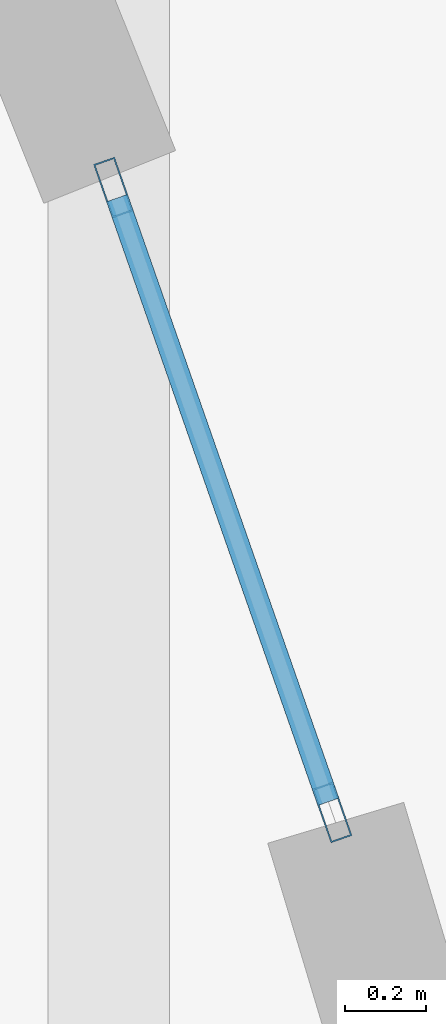
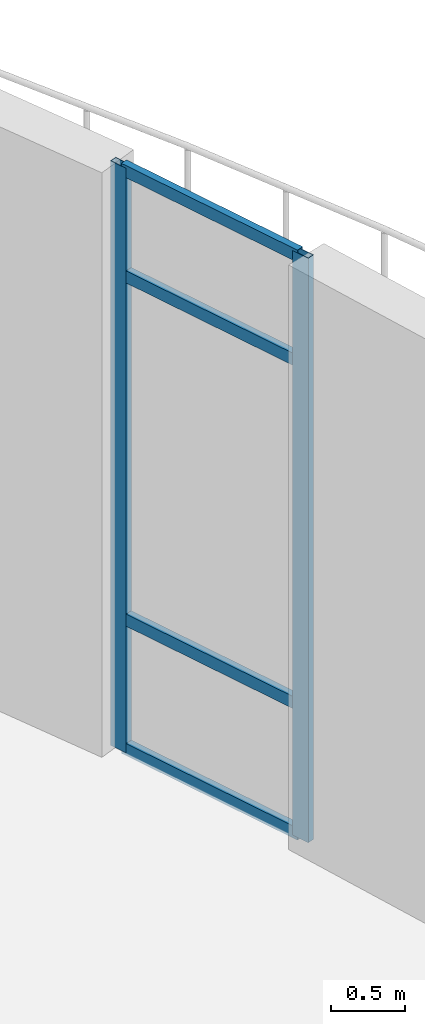
# One storey, part 25 of 57: 6 members, 1 element without a shape of its own.
"""IFC4 building model written with IfcOpenShell, lengths in metres."""

from ifc_helpers import new_model, si_unit, direction, frame, origin, origin_2d, place, context, subcontext, project, spatial, hollow_rectangle, extrude, material, layer, layer_set, material_profile, profile_set, type_object, element, aggregate, save


model = new_model("IFC4")

# Units and contexts
model_context = context("Model", 3, precision=1e-05, world=origin(), true_north=direction((0.0, 1.0)))
body_context = subcontext(model_context, "Body", "Model", "MODEL_VIEW")
ifc_project = project(units=[si_unit("LENGTHUNIT", "METRE"), si_unit("AREAUNIT", "SQUARE_METRE"), si_unit("VOLUMEUNIT", "CUBIC_METRE"), si_unit("PLANEANGLEUNIT", "RADIAN"), si_unit("MASSUNIT", "GRAM", prefix="KILO"), si_unit("THERMODYNAMICTEMPERATUREUNIT", "KELVIN")], contexts=[model_context])

# Site, building, storey
site_placement = place(None, origin())
site = spatial("IfcSite", under=ifc_project, at=site_placement, CompositionType="ELEMENT")
building_placement = place(site_placement, origin())
building = spatial("IfcBuilding", under=site, at=building_placement, Name="Lustrewick Department Store", CompositionType="ELEMENT")
storey_placement = place(building_placement, frame((0.0, 0.0, 26.699951171875)))
storey = spatial("IfcBuildingStorey", under=building, at=storey_placement, Name="L06", CompositionType="ELEMENT", Elevation=26.699951171875)

# Curtain wall, members
ifc_material = material(Name="Thermally broken aluminium 6063-T5", Category="aluminium")
ifc_layer = layer(ifc_material, 0.139892578125, Name="Thermally broken aluminium 6063-T5")
ifc_layer_set = layer_set([ifc_layer], Name="Thermally broken aluminium 6063-T5")
curtain_wall_type = type_object("IfcCurtainWallType", Name="CW15", PredefinedType="NOTDEFINED", material=ifc_layer_set)
curtain_wall_placement = place(storey_placement, origin())
curtain_wall = element("IfcCurtainWall", 1, at=curtain_wall_placement, inside=storey, type_object=curtain_wall_type, Name="L06 V4 Curtain Wall CW15", PredefinedType="NOTDEFINED")
ifc_material_profile_1 = material_profile(ifc_material, hollow_rectangle(XDim=0.054931640625, YDim=0.139892578125, WallThickness=0.00341796875, at=origin_2d()), Name="ALU-M 55x140x3.5")
ifc_profile_set_1 = profile_set([ifc_material_profile_1], Name="Thermally broken aluminium 6063-T5")
member_type_1 = type_object("IfcMemberType", Name="CW15-M1", PredefinedType="MULLION", material=ifc_profile_set_1)
member_1_placement = place(storey_placement, frame((151.750732421875, 71.244873046875, 0.0), z_axis=(0.0, 0.0, 1.0), x_axis=(-0.943885147094, -0.330273869835, 0.0)))
member_1 = element("IfcMember", 2, at=member_1_placement, type_object=member_type_1, Name="CW15 mullion 1", PredefinedType="MULLION", context=body_context, shape_type="SweptSolid", body=[
    extrude(hollow_rectangle(XDim=0.054931640625, YDim=0.139892578125, WallThickness=0.00341796875, at=origin_2d()), origin(), (0.0, 0.0, 1.0), 4.844970703125),
])
member_2_placement = place(storey_placement, frame((151.21142578125, 72.78564453125, 0.0), z_axis=(0.0, 0.0, 1.0), x_axis=(-0.943885147094, -0.330273869835, 0.0)))
member_2 = element("IfcMember", 3, at=member_2_placement, type_object=member_type_1, Name="CW15 mullion 2", PredefinedType="MULLION", context=body_context, shape_type="SweptSolid", body=[
    extrude(hollow_rectangle(XDim=0.054931640625, YDim=0.139892578125, WallThickness=0.00341796875, at=origin_2d()), origin(), (0.0, 0.0, 1.0), 4.844970703125),
])
ifc_material_profile_2 = material_profile(ifc_material, hollow_rectangle(XDim=0.054931640625, YDim=0.10009765625, WallThickness=0.0029296875, at=origin_2d()), Name="ALU-T 55x100x3")
ifc_profile_set_2 = profile_set([ifc_material_profile_2], Name="Thermally broken aluminium 6063-T5")
member_type_2 = type_object("IfcMemberType", Name="CW15-T1", PredefinedType="USERDEFINED", material=ifc_profile_set_2)
member_3_placement = place(storey_placement, frame((151.741455078125, 71.27099609375, 0.027587890625), z_axis=(-0.330309056749, 0.943872834141, 0.0), x_axis=(-0.943872834141, -0.330309056749, 0.0)))
member_3 = element("IfcMember", 4, at=member_3_placement, type_object=member_type_2, Name="CW15 transom 1.1", ObjectType="TRANSOM", PredefinedType="USERDEFINED", context=body_context, shape_type="SweptSolid", body=[
    extrude(hollow_rectangle(XDim=0.054931640625, YDim=0.10009765625, WallThickness=0.0029296875, at=origin_2d()), origin(), (0.0, 0.0, 1.0), 1.577392578125),
])
member_4_placement = place(storey_placement, frame((151.741455078125, 71.27099609375, 1.10009765625), z_axis=(-0.330309056749, 0.943872834141, 0.0), x_axis=(-0.943872834141, -0.330309056749, 0.0)))
member_4 = element("IfcMember", 5, at=member_4_placement, type_object=member_type_2, Name="CW15 transom 1.2", ObjectType="TRANSOM", PredefinedType="USERDEFINED", context=body_context, shape_type="SweptSolid", body=[
    extrude(hollow_rectangle(XDim=0.054931640625, YDim=0.10009765625, WallThickness=0.0029296875, at=origin_2d()), origin(), (0.0, 0.0, 1.0), 1.577392578125),
])
member_5_placement = place(storey_placement, frame((151.741455078125, 71.27099609375, 3.945068359375), z_axis=(-0.330309056749, 0.943872834141, 0.0), x_axis=(-0.943872834141, -0.330309056749, 0.0)))
member_5 = element("IfcMember", 6, at=member_5_placement, type_object=member_type_2, Name="CW15 transom 1.3", ObjectType="TRANSOM", PredefinedType="USERDEFINED", context=body_context, shape_type="SweptSolid", body=[
    extrude(hollow_rectangle(XDim=0.054931640625, YDim=0.10009765625, WallThickness=0.0029296875, at=origin_2d()), origin(), (0.0, 0.0, 1.0), 1.577392578125),
])
member_6_placement = place(storey_placement, frame((151.741455078125, 71.27099609375, 4.817626953125), z_axis=(-0.330309056749, 0.943872834141, 0.0), x_axis=(-0.943872834141, -0.330309056749, 0.0)))
member_6 = element("IfcMember", 7, at=member_6_placement, type_object=member_type_2, Name="CW15 transom 1.4", ObjectType="TRANSOM", PredefinedType="USERDEFINED", context=body_context, shape_type="SweptSolid", body=[
    extrude(hollow_rectangle(XDim=0.054931640625, YDim=0.10009765625, WallThickness=0.0029296875, at=origin_2d()), origin(), (0.0, 0.0, 1.0), 1.577392578125),
])
aggregate(curtain_wall, [member_1, member_2, member_3, member_4, member_5, member_6])

save(model, "model.ifc")
